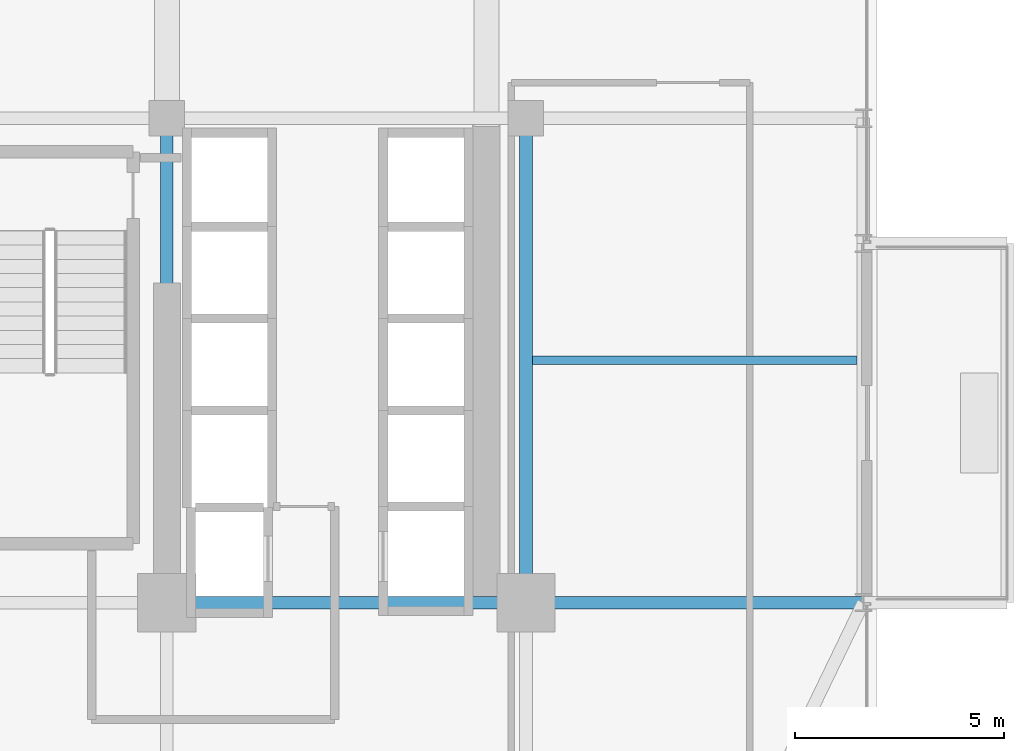
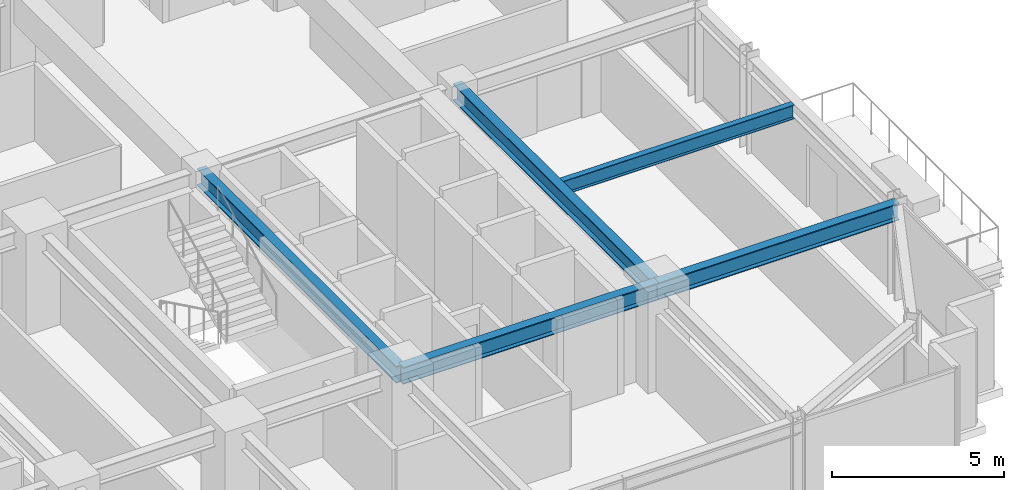
# One storey, part 14 of 35: 5 beams.
"""IFC4 building model written with IfcOpenShell, lengths in metres."""

from ifc_helpers import new_model, si_unit, direction, frame, origin, origin_2d, place, context, subcontext, project, spatial, i_section, extrude, source, transform, mapped, material, material_profile, profile_set, type_object, element, save


model = new_model("IFC4")

# Units and contexts
model_context = context("Model", 3, precision=1e-05, world=origin(), true_north=direction((0.0, 1.0)))
body_context = subcontext(model_context, "Body", "Model", "MODEL_VIEW")
ifc_project = project(units=[si_unit("LENGTHUNIT", "METRE"), si_unit("AREAUNIT", "SQUARE_METRE"), si_unit("VOLUMEUNIT", "CUBIC_METRE"), si_unit("PLANEANGLEUNIT", "RADIAN"), si_unit("MASSUNIT", "GRAM", prefix="KILO")], contexts=[model_context])

# Site, building, storey
site_placement = place(None, origin())
site = spatial("IfcSite", under=ifc_project, at=site_placement, CompositionType="ELEMENT")
building_placement = place(site_placement, origin())
building = spatial("IfcBuilding", under=site, at=building_placement, Name="Nahalor Promenade Grand Hotel", CompositionType="ELEMENT")
storey_placement = place(building_placement, frame((0.0, 0.0, 39.699951171875)))
storey = spatial("IfcBuildingStorey", under=building, at=storey_placement, Name="L08", CompositionType="ELEMENT", Elevation=39.699951171875)

# Beams
ifc_material = material(Name="Steel S355JR", Category="steel")
ifc_material_profile_1 = material_profile(ifc_material, i_section(OverallWidth=0.3, OverallDepth=0.6, WebThickness=0.0155, FlangeThickness=0.03, at=origin_2d()), Name="HEB 600")
ifc_profile_set_1 = profile_set([ifc_material_profile_1], Name="Steel S355JR")
beam_type_1 = type_object("IfcBeamType", Name="Beam-Girder-HEB600", PredefinedType="BEAM", material=ifc_profile_set_1)
shared_shape_1 = source(origin(), body_context, "Body", "SweptSolid", [
    extrude(i_section(OverallWidth=0.3, OverallDepth=0.6, WebThickness=0.0155, FlangeThickness=0.03, at=origin_2d()), origin(), (0.0, 0.0, 1.0), 8.60009765625),
])
beam_1_placement = place(storey_placement, frame((8.39990234375, -17.0, 3.070068359375), z_axis=(1.0, 0.0, 0.0), x_axis=(0.0, 1.0, 0.0)))
element("IfcBeam", 1, at=beam_1_placement, inside=storey, type_object=beam_type_1, Name="BM-L08-GX-0-5", PredefinedType="BEAM", context=body_context, shape_type="MappedRepresentation", body=[
    mapped(shared_shape_1, transform((0.0, 0.0, 0.0), scale=1.0)),
])
shared_shape_2 = source(origin(), body_context, "Body", "SweptSolid", [
    extrude(i_section(OverallWidth=0.3, OverallDepth=0.6, WebThickness=0.0155, FlangeThickness=0.03, at=origin_2d()), origin(), (0.0, 0.0, 1.0), 11.60009765625),
])
for number, where, z_axis, x_axis, name in (
    (2, (8.39990234375, -17.0, 3.070068359375), (0.0, 1.0, 0.0), (-1.0, 0.0, 0.0), "BM-L08-GY-4-1"),
    (3, (17.0, -17.0, 3.070068359375), (0.0, 1.0, 0.0), (-1.0, 0.0, 0.0), "BM-L08-GY-5-1"),
):
    element("IfcBeam", number, at=place(storey_placement, frame(where, z_axis=z_axis, x_axis=x_axis)), inside=storey, type_object=beam_type_1, Name=name, PredefinedType="BEAM", context=body_context, shape_type="MappedRepresentation", body=[
        mapped(shared_shape_2, transform((0.0, 0.0, 0.0), scale=1.0)),
    ])
shared_shape_3 = source(origin(), body_context, "Body", "SweptSolid", [
    extrude(i_section(OverallWidth=0.3, OverallDepth=0.6, WebThickness=0.0155, FlangeThickness=0.03, at=origin_2d()), origin(), (0.0, 0.0, 1.0), 8.080078125),
])
beam_2_placement = place(storey_placement, frame((17.0, -17.0, 3.070068359375), z_axis=(1.0, 0.0, 0.0), x_axis=(0.0, 1.0, 0.0)))
element("IfcBeam", 4, at=beam_2_placement, inside=storey, type_object=beam_type_1, Name="BM-L08-GX-0-6", PredefinedType="BEAM", context=body_context, shape_type="MappedRepresentation", body=[
    mapped(shared_shape_3, transform((0.0, 0.0, 0.0), scale=1.0)),
])
ifc_material_profile_2 = material_profile(ifc_material, i_section(OverallWidth=0.2, OverallDepth=0.5, WebThickness=0.0102, FlangeThickness=0.016, at=origin_2d()), Name="IPE 500")
ifc_profile_set_2 = profile_set([ifc_material_profile_2], Name="Steel S355JR")
beam_type_2 = type_object("IfcBeamType", Name="Beam-Joist-IPE500", PredefinedType="JOIST", material=ifc_profile_set_2)
shared_shape_4 = source(origin(), body_context, "Body", "SweptSolid", [
    extrude(i_section(OverallWidth=0.2, OverallDepth=0.5, WebThickness=0.0102, FlangeThickness=0.016, at=origin_2d()), origin(), (0.0, 0.0, 1.0), 7.780029296875),
])
beam_3_placement = place(storey_placement, frame((17.14990234375, -11.199951171875, 3.1201171875), z_axis=(1.0, 0.0, 0.0), x_axis=(0.0, 1.0, 0.0)))
element("IfcBeam", 5, at=beam_3_placement, inside=storey, type_object=beam_type_2, Name="BM-L08-JSE-0-2", PredefinedType="JOIST", context=body_context, shape_type="MappedRepresentation", body=[
    mapped(shared_shape_4, transform((0.0, 0.0, 0.0), scale=1.0)),
])

save(model, "model.ifc")
